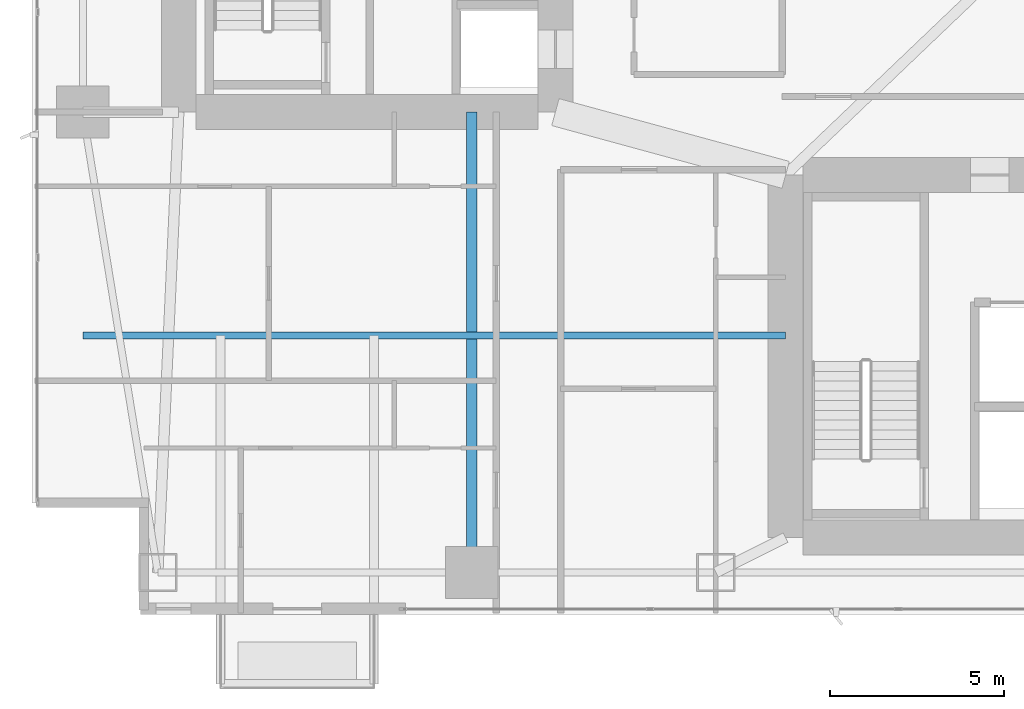
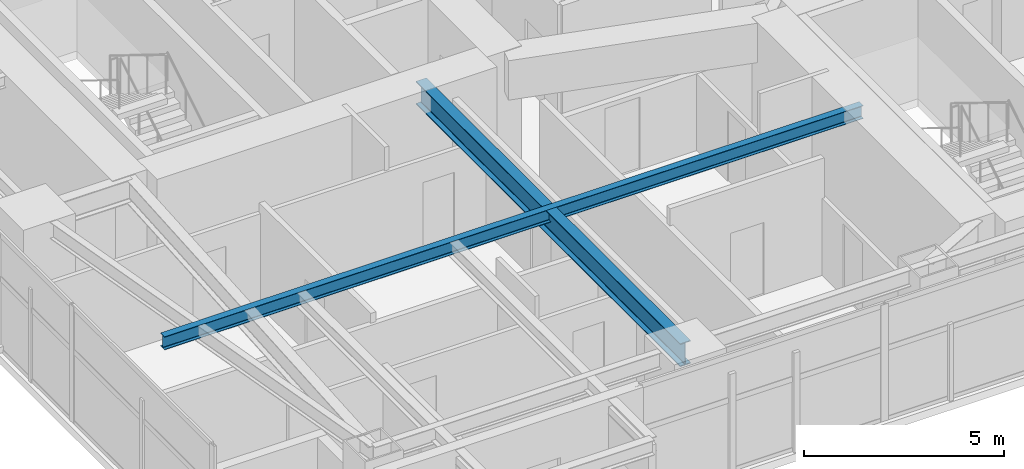
# One storey, part 5 of 30: 2 beams.
"""IFC4 building model written with IfcOpenShell, lengths in metres."""

import ifcopenshell
import ifcopenshell.guid

model = None  # the IFC model being written
_history = None  # IfcOwnerHistory: only IFC2X3 demands one
_inside = {}  # id of a spatial element -> (the spatial element, [elements in it])
_under = {}  # id of a project, library or spatial element -> (it, [spatial elements below it])
_declared = {}  # id of a project -> (the project, [libraries it declares])
_typed = {}  # id of a type object -> (the type object, [elements of that type])
_made_of = {}  # id of a material, layer set ... -> (it, [elements and type objects made of it])


def new_model(schema):
    """Start an empty IFC model of exactly this schema.

    Asked for "IFC4X3", IfcOpenShell would pick the latest addendum, in which some entities
    have other attributes; the version numbers below select the first issue.
    IFC2X3 requires an IfcOwnerHistory on every rooted entity: one is made here for all.
    """
    global model, _history
    if schema == "IFC4X3":
        model = ifcopenshell.file(schema_version=(4, 3, 0, 0))
    else:
        model = ifcopenshell.file(schema=schema)
    _inside.clear()
    _under.clear()
    _declared.clear()
    _typed.clear()
    _made_of.clear()
    _history = None
    if model.schema == "IFC2X3":
        org = make("IfcOrganization", Name="unknown")
        user = make(
            "IfcPersonAndOrganization",
            ThePerson=make("IfcPerson", FamilyName="unknown"),
            TheOrganization=org,
        )
        app = make(
            "IfcApplication",
            ApplicationDeveloper=org,
            Version="unknown",
            ApplicationFullName="unknown",
            ApplicationIdentifier="unknown",
        )
        _history = make(
            "IfcOwnerHistory",
            OwningUser=user,
            OwningApplication=app,
            ChangeAction="ADDED",
            CreationDate=0,
        )
    return model


def make(cls, **values):
    """One entity of the class cls with the attributes given. An attribute that is None is left unset."""
    return model.create_entity(
        cls, **{name: value for name, value in values.items() if value is not None}
    )


def rooted(cls, **values):
    """An entity with a GlobalId (a new one), such as an element, a storey or a relation."""
    return make(cls, GlobalId=ifcopenshell.guid.new(), OwnerHistory=_history, **values)


def si_unit(unit_type, name, prefix=None):
    """IfcSIUnit, for example si_unit("LENGTHUNIT", "METRE", prefix="MILLI")."""
    return make("IfcSIUnit", UnitType=unit_type, Prefix=prefix, Name=name)


def assignment(units):
    """IfcUnitAssignment: the units of a project."""
    return None if units is None else make("IfcUnitAssignment", Units=units)


def point(xyz):
    """IfcCartesianPoint."""
    return None if xyz is None else make("IfcCartesianPoint", Coordinates=xyz)


def direction(xyz):
    """IfcDirection."""
    return None if xyz is None else make("IfcDirection", DirectionRatios=xyz)


def frame(location, z_axis=None, x_axis=None):
    """IfcAxis2Placement3D, a coordinate frame: its origin and axes. An axis left out is left unset."""
    return make(
        "IfcAxis2Placement3D",
        Location=point(location),
        Axis=direction(z_axis),
        RefDirection=direction(x_axis),
    )


def frame_2d(location, x_axis=None):
    """IfcAxis2Placement2D, a coordinate frame in the plane: its origin and x axis."""
    return make(
        "IfcAxis2Placement2D", Location=point(location), RefDirection=direction(x_axis)
    )


def origin():
    """The frame at (0, 0, 0) with its axes left unset."""
    return frame((0.0, 0.0, 0.0))


def origin_2d():
    """The frame at (0, 0) in the plane with its x axis left unset."""
    return frame_2d((0.0, 0.0))


def place(relative_to, where):
    """IfcLocalPlacement: puts the frame where relative to a parent placement (None: the world)."""
    return make(
        "IfcLocalPlacement", PlacementRelTo=relative_to, RelativePlacement=where
    )


def context(
    kind, dimensions, precision=None, world=None, true_north=None, identifier=None
):
    """IfcGeometricRepresentationContext, for example the 3D "Model" context."""
    return make(
        "IfcGeometricRepresentationContext",
        ContextIdentifier=identifier,
        ContextType=kind,
        CoordinateSpaceDimension=dimensions,
        Precision=precision,
        WorldCoordinateSystem=world,
        TrueNorth=true_north,
    )


def subcontext(parent, identifier, kind, view, scale=None):
    """IfcGeometricRepresentationSubContext, for example "Body" below "Model"."""
    return make(
        "IfcGeometricRepresentationSubContext",
        ContextIdentifier=identifier,
        ContextType=kind,
        ParentContext=parent,
        TargetScale=scale,
        TargetView=view,
    )


def project(units=None, contexts=None):
    """IfcProject with its units and contexts."""
    return rooted(
        "IfcProject",
        Name="project",
        RepresentationContexts=contexts,
        UnitsInContext=assignment(units),
    )


def spatial(cls, under=None, at=None, **own):
    """A site, building, storey or space (cls), placed at a placement, below another one or the project."""
    s = rooted(cls, ObjectPlacement=at, **own)
    if under is not None:
        _under.setdefault(under.id(), (under, []))[1].append(s)
    return s


def profile(cls, at=None, kind="AREA", **sizes):
    """A parametric profile (cls). Its sizes go by their IFC names, for example OverallWidth=200.0."""
    return make(cls, ProfileType=kind, Position=at, **sizes)


def i_section(**sizes):
    """IfcIShapeProfileDef."""
    return profile("IfcIShapeProfileDef", **sizes)


def extrude(swept, where, along, depth):
    """IfcExtrudedAreaSolid: the profile swept, set in the frame where, extruded along a direction by depth."""
    return make(
        "IfcExtrudedAreaSolid",
        SweptArea=swept,
        Position=where,
        ExtrudedDirection=direction(along),
        Depth=depth,
    )


def shape(context_of_items, identifier, shape_type, items):
    """IfcShapeRepresentation: the items that make up one representation, for example the "Body"."""
    return make(
        "IfcShapeRepresentation",
        ContextOfItems=context_of_items,
        RepresentationIdentifier=identifier,
        RepresentationType=shape_type,
        Items=items,
    )


def material(Name=None, Category=None):
    """IfcMaterial."""
    return make("IfcMaterial", Name=Name, Category=Category)


def material_profile(
    of_material, cross_section, Name=None, Category=None, Priority=None
):
    """IfcMaterialProfile: a cross section and its material."""
    return make(
        "IfcMaterialProfile",
        Name=Name,
        Material=of_material,
        Profile=cross_section,
        Priority=Priority,
        Category=Category,
    )


def profile_set(profiles, Name=None, composite=None):
    """IfcMaterialProfileSet."""
    return make(
        "IfcMaterialProfileSet",
        Name=Name,
        MaterialProfiles=profiles,
        CompositeProfile=composite,
    )


def made_of(thing, what):
    """Note that an element or type object is made of a material, layer set ...; save() writes the relation."""
    if what is not None:
        _made_of.setdefault(what.id(), (what, []))[1].append(thing)
    return thing


def type_object(cls, material=None, **own):
    """A type object (cls), such as IfcWallType, which elements share."""
    return made_of(rooted(cls, **own), material)


def element(
    cls,
    number,
    at=None,
    inside=None,
    cuts=None,
    type_object=None,
    material=None,
    context=None,
    identifier="Body",
    shape_type=None,
    held_by="IfcProductDefinitionShape",
    body=None,
    shapes=None,
    **own,
):
    """One element of the class cls, such as IfcWall. Its Tag is "e" and its number.

    at: its placement. inside: the storey or other place that contains it. cuts: it is an
    opening in that element (IfcRelVoidsElement). A single representation is given by context,
    identifier, shape_type and body (its items); several are given by shapes. held_by: the class
    of the entity that holds the representations. save() writes the other relations.
    """
    e = rooted(cls, Tag="e%d" % number, ObjectPlacement=at, **own)
    if body is not None:
        shapes = [shape(context, identifier, shape_type, body)]
    if shapes is not None:
        e.Representation = make(held_by, Representations=shapes)
    if inside is not None:
        _inside.setdefault(inside.id(), (inside, []))[1].append(e)
    if cuts is not None:
        rooted(
            "IfcRelVoidsElement", RelatingBuildingElement=cuts, RelatedOpeningElement=e
        )
    if type_object is not None:
        _typed.setdefault(type_object.id(), (type_object, []))[1].append(e)
    return made_of(e, material)


def aggregate(whole, parts):
    """IfcRelAggregates: a whole, such as a stair, and the parts it consists of."""
    return rooted("IfcRelAggregates", RelatingObject=whole, RelatedObjects=parts)


def save(model, path):
    """Write the relations noted so far, then the file.

    IfcRelAggregates (storeys below a building ...), IfcRelContainedInSpatialStructure (elements
    in a storey), IfcRelDefinesByType, IfcRelAssociatesMaterial and IfcRelDeclares: one each for
    every whole, place, type object, material and project.
    """
    for whole, parts in _under.values():
        aggregate(whole, parts)
    for where, things in _inside.values():
        rooted(
            "IfcRelContainedInSpatialStructure",
            RelatedElements=things,
            RelatingStructure=where,
        )
    for kind, things in _typed.values():
        rooted("IfcRelDefinesByType", RelatedObjects=things, RelatingType=kind)
    for what, things in _made_of.values():
        rooted("IfcRelAssociatesMaterial", RelatedObjects=things, RelatingMaterial=what)
    for by, libraries in _declared.values():
        rooted("IfcRelDeclares", RelatingContext=by, RelatedDefinitions=libraries)
    model.write(path)


model = new_model("IFC4")

# Units and contexts
model_context = context("Model", 3, precision=1e-05, world=origin(), true_north=direction((0.0, 1.0)))
body_context = subcontext(model_context, "Body", "Model", "MODEL_VIEW")
ifc_project = project(units=[si_unit("LENGTHUNIT", "METRE"), si_unit("AREAUNIT", "SQUARE_METRE"), si_unit("VOLUMEUNIT", "CUBIC_METRE"), si_unit("PLANEANGLEUNIT", "RADIAN"), si_unit("MASSUNIT", "GRAM", prefix="KILO")], contexts=[model_context])

# Site, building, storey
site_placement = place(None, origin())
site = spatial("IfcSite", under=ifc_project, at=site_placement, CompositionType="ELEMENT")
building_placement = place(site_placement, origin())
building = spatial("IfcBuilding", under=site, at=building_placement, Name="Calvorn Quay Hotel", CompositionType="ELEMENT")
storey_placement = place(building_placement, frame((0.0, 0.0, 27.0)))
storey = spatial("IfcBuildingStorey", under=building, at=storey_placement, Name="L05", CompositionType="ELEMENT", Elevation=27.0)

# Beams
ifc_material_1 = material(Name="Steel Q390GJC", Category="steel")
ifc_material_profile_1 = material_profile(ifc_material_1, i_section(OverallWidth=0.300048828125, OverallDepth=0.699951171875, WebThickness=0.012939453125, FlangeThickness=0.02392578125, FilletRadius=0.02392578125, at=origin_2d()), Name="HN700x300x13x24")
ifc_profile_set_1 = profile_set([ifc_material_profile_1], Name="Steel Q390GJC")
beam_type_1 = type_object("IfcBeamType", Name="BM-GIRD-MAIN", PredefinedType="BEAM", material=ifc_profile_set_1)
beam_1_placement = place(storey_placement, frame((12.60009765625, 3.60009765625, 3.18994140625), z_axis=(0.0, 1.0, 0.0), x_axis=(-1.0, 0.0, 0.0)))
element("IfcBeam", 1, at=beam_1_placement, inside=storey, type_object=beam_type_1, Name="Beam BG-L05-S1", PredefinedType="BEAM", context=body_context, shape_type="SweptSolid", body=[
    extrude(i_section(OverallWidth=0.300048828125, OverallDepth=0.699951171875, WebThickness=0.012939453125, FlangeThickness=0.02392578125, FilletRadius=0.02392578125, at=origin_2d()), origin(), (0.0, 0.0, 1.0), 13.199951171875),
])
ifc_material_2 = material(Name="Steel Q355B", Category="steel")
ifc_material_profile_2 = material_profile(ifc_material_2, i_section(OverallWidth=0.199951171875, OverallDepth=0.39990234375, WebThickness=0.008056640625, FlangeThickness=0.012939453125, FilletRadius=0.01611328125, at=origin_2d()), Name="HN400x200x8x13")
ifc_profile_set_2 = profile_set([ifc_material_profile_2], Name="Steel Q355B")
beam_type_2 = type_object("IfcBeamType", Name="BM-JOIST-TYP", PredefinedType="JOIST", material=ifc_profile_set_2)
beam_2_placement = place(storey_placement, frame((1.449951171875, 10.39990234375, 3.340087890625), z_axis=(1.0, 0.0, 0.0), x_axis=(0.0, 1.0, 0.0)))
element("IfcBeam", 2, at=beam_2_placement, inside=storey, type_object=beam_type_2, Name="Beam BJ-L05-W1", PredefinedType="JOIST", context=body_context, shape_type="SweptSolid", body=[
    extrude(i_section(OverallWidth=0.199951171875, OverallDepth=0.39990234375, WebThickness=0.008056640625, FlangeThickness=0.012939453125, FilletRadius=0.01611328125, at=origin_2d()), origin(), (0.0, 0.0, 1.0), 20.150146484375),
])

save(model, "model.ifc")
